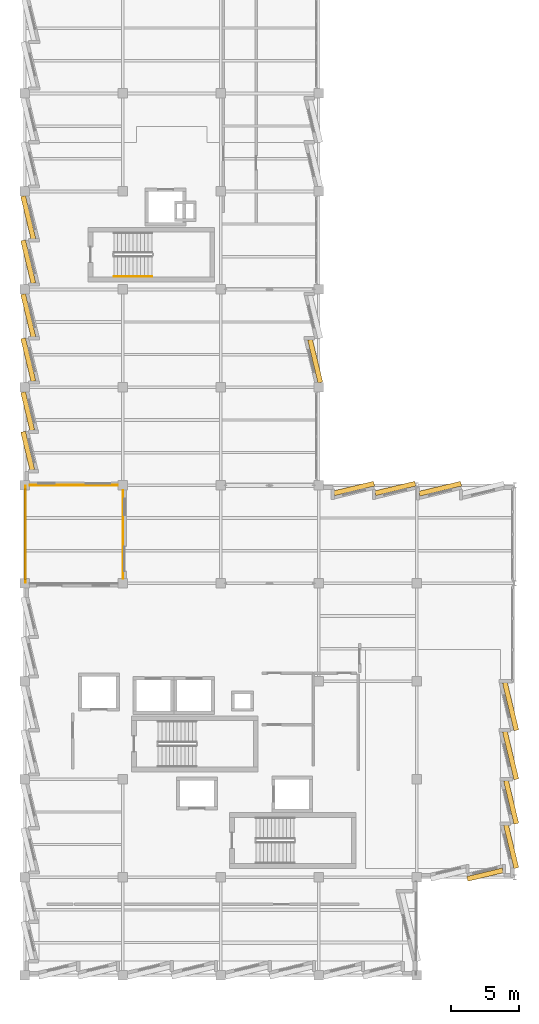
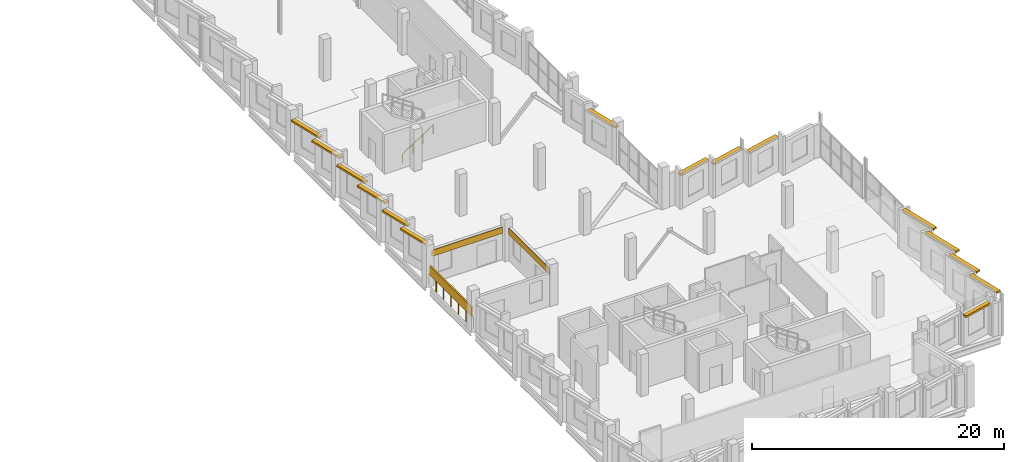
# One storey, part 31 of 33: 16 shading devices, 2 coverings, 2 railings.
"""IFC4 building model written with IfcOpenShell, lengths in metres."""

from ifc_helpers import new_model, si_unit, direction, frame, origin, origin_2d, place, context, subcontext, project, spatial, rectangle, circle, extrude, material, layer, layer_set, type_object, element, save


model = new_model("IFC4")

# Units and contexts
model_context = context("Model", 3, precision=1e-05, world=origin(), true_north=direction((0.0, 1.0)))
body_context = subcontext(model_context, "Body", "Model", "MODEL_VIEW")
ifc_project = project(units=[si_unit("LENGTHUNIT", "METRE"), si_unit("AREAUNIT", "SQUARE_METRE"), si_unit("VOLUMEUNIT", "CUBIC_METRE"), si_unit("PLANEANGLEUNIT", "RADIAN"), si_unit("MASSUNIT", "GRAM", prefix="KILO")], contexts=[model_context])

# Site, building, storey
site_placement = place(None, origin())
site = spatial("IfcSite", under=ifc_project, at=site_placement, CompositionType="ELEMENT")
building_placement = place(site_placement, origin())
building = spatial("IfcBuilding", under=site, at=building_placement, Name="Kalmorath City Hall", CompositionType="ELEMENT")
storey_placement = place(building_placement, frame((0.0, 0.0, 22.949951171875)))
storey = spatial("IfcBuildingStorey", under=building, at=storey_placement, Name="L05", CompositionType="ELEMENT", Elevation=22.949951171875)

# Coverings
ifc_material_1 = material(Name="Hardwood timber cladding", Category="wood")
ifc_layer_1 = layer(ifc_material_1, 0.044921875)
ifc_layer_set_1 = layer_set([ifc_layer_1], Name="Hardwood timber cladding")
covering_type = type_object("IfcCoveringType", Name="Hardwood recessed loggia wall cladding", PredefinedType="CLADDING", material=ifc_layer_set_1)
for number, where, z_axis, x_axis, name in (
    (1, (7.205078125, 32.39990234375, 2.5859375), (0.0, 0.0, 1.0), (0.0, 1.0, 0.0), "L05 timber loggia lining #86"),
    (2, (3.60009765625, 36.0048828125, 2.5859375), (0.0, 0.0, 1.0), (-1.0, 0.0, 0.0), "L05 timber loggia lining #87"),
):
    element("IfcCovering", number, at=place(storey_placement, frame(where, z_axis=z_axis, x_axis=x_axis)), inside=storey, type_object=covering_type, Name=name, PredefinedType="CLADDING", context=body_context, shape_type="SweptSolid", body=[
        extrude(rectangle(XDim=6.498046875, YDim=0.044921875, at=origin_2d()), origin(), (0.0, 0.0, 1.0), 0.60009765625),
    ])

# Shading device
ifc_material_2 = material(Name="Bronze anodised storm louvre")
ifc_layer_2 = layer(ifc_material_2, 0.139892578125)
ifc_layer_set_2 = layer_set([ifc_layer_2], Name="Bronze anodised storm louvre")
shading_device_type_1 = type_object("IfcShadingDeviceType", Name="Hurricane bronze storm louvre bank", PredefinedType="JALOUSIE", material=ifc_layer_set_2)
shading_device_1_placement = place(storey_placement, frame((0.050048828125, 32.39990234375, 1.10009765625), z_axis=(0.0, 0.0, 1.0), x_axis=(0.0, 1.0, 0.0)))
element("IfcShadingDevice", 3, at=shading_device_1_placement, inside=storey, type_object=shading_device_type_1, Name="L05 corner loggia storm louvre #547", PredefinedType="JALOUSIE", context=body_context, shape_type="SweptSolid", body=[
    extrude(rectangle(XDim=6.699951171875, YDim=0.139892578125, at=origin_2d()), origin(), (0.0, 0.0, 1.0), 0.89990234375),
])

# Railing
ifc_material_3 = material(Name="Stainless steel and laminated glass", Category="steel")
railing_type_1 = type_object("IfcRailingType", Name="Outdoor terrace balustrade 1120", PredefinedType="BALUSTRADE", material=ifc_material_3)
railing_1_placement = place(storey_placement, frame((0.050048828125, 28.85009765625, 0.0)))
element("IfcRailing", 4, at=railing_1_placement, inside=storey, type_object=railing_type_1, Name="L05 Northwest Corner Loggia balustrade #13", PredefinedType="BALUSTRADE", context=body_context, shape_type="SweptSolid", body=[
    extrude(circle(Radius=0.02392578125, at=origin_2d()), frame((0.0, 0.0, 1.09619140625), z_axis=(0.0, 1.0, 0.0), x_axis=(-1.0, 0.0, 0.0)), (0.0, 0.0, 1.0), 7.099853515625),
    extrude(circle(Radius=0.02099609375, at=origin_2d()), origin(), (0.0, 0.0, 1.0), 1.072021484375),
    extrude(circle(Radius=0.02099609375, at=origin_2d()), frame((0.0, 1.183349609375, 0.0)), (0.0, 0.0, 1.0), 1.072021484375),
    extrude(circle(Radius=0.02099609375, at=origin_2d()), frame((0.0, 2.36669921875, 0.0)), (0.0, 0.0, 1.0), 1.072021484375),
    extrude(circle(Radius=0.02099609375, at=origin_2d()), frame((0.0, 3.5498046875, 0.0)), (0.0, 0.0, 1.0), 1.072021484375),
    extrude(circle(Radius=0.02099609375, at=origin_2d()), frame((0.0, 4.733154296875, 0.0)), (0.0, 0.0, 1.0), 1.072021484375),
    extrude(circle(Radius=0.02099609375, at=origin_2d()), frame((0.0, 5.91650390625, 0.0)), (0.0, 0.0, 1.0), 1.072021484375),
    extrude(circle(Radius=0.02099609375, at=origin_2d()), frame((0.0, 7.099853515625, 0.0)), (0.0, 0.0, 1.0), 1.072021484375),
])

# Shading devices
ifc_material_4 = material(Name="Precast concrete C40/50", Category="concrete")
ifc_layer_3 = layer(ifc_material_4, 0.179931640625)
ifc_layer_set_3 = layer_set([ifc_layer_3], Name="Precast concrete C40/50")
shading_device_type_2 = type_object("IfcShadingDeviceType", Name="Precast sawtooth brow sunshade 350", PredefinedType="USERDEFINED", material=ifc_layer_set_3)
for number, where, z_axis, x_axis, name in (
    (5, (35.698974609375, 19.75390625, 3.58984375), (0.0, 0.0, 1.0), (0.233445363856, -0.972369920398, 0.0), "L05 precast sawtooth hood #426"),
    (6, (35.698974609375, 16.15380859375, 3.58984375), (0.0, 0.0, 1.0), (0.233445363856, -0.972369920398, 0.0), "L05 precast sawtooth hood #427"),
):
    element("IfcShadingDevice", number, at=place(storey_placement, frame(where, z_axis=z_axis, x_axis=x_axis)), inside=storey, type_object=shading_device_type_2, Name=name, ObjectType="SUNSHADE", PredefinedType="USERDEFINED", context=body_context, shape_type="SweptSolid", body=[
        extrude(rectangle(XDim=3.607421875, YDim=0.360107421875, at=origin_2d()), origin(), (0.0, 0.0, 1.0), 0.179931640625),
    ])
for number, where, z_axis, x_axis, name in (
    (7, (35.73974609375, 12.723876953125, 3.58984375), (0.0, 0.0, 1.0), (0.233462334877, -0.972365845859, 0.0), "L05 precast sawtooth hood #428"),
    (8, (35.73974609375, 9.4638671875, 3.58984375), (0.0, 0.0, 1.0), (0.233462334877, -0.972365845859, 0.0), "L05 precast sawtooth hood #429"),
):
    element("IfcShadingDevice", number, at=place(storey_placement, frame(where, z_axis=z_axis, x_axis=x_axis)), inside=storey, type_object=shading_device_type_2, Name=name, ObjectType="SUNSHADE", PredefinedType="USERDEFINED", context=body_context, shape_type="SweptSolid", body=[
        extrude(rectangle(XDim=3.257568359375, YDim=0.360107421875, at=origin_2d()), origin(), (0.0, 0.0, 1.0), 0.179931640625),
    ])
shading_device_2_placement = place(storey_placement, frame((33.82421875, 7.39208984375, 3.005859375), z_axis=(0.0, 0.0, 1.0), x_axis=(-0.97237399464, -0.233428392764, 0.0)))
element("IfcShadingDevice", 9, at=shading_device_2_placement, inside=storey, type_object=shading_device_type_2, Name="L05 precast sawtooth hood #430", ObjectType="SUNSHADE", PredefinedType="USERDEFINED", context=body_context, shape_type="SweptSolid", body=[
    extrude(rectangle(XDim=2.674560546875, YDim=0.360107421875, at=origin_2d()), origin(), (0.0, 0.0, 1.0), 0.179931640625),
])
for number, where, z_axis, x_axis, name in (
    (10, (0.218017578125, 38.53173828125, 3.005859375), (0.0, 0.0, 1.0), (-0.233445363856, 0.972369920398, 0.0), "L05 precast sawtooth hood #449"),
    (11, (0.218017578125, 41.440673828125, 3.005859375), (0.0, 0.0, 1.0), (-0.233445363856, 0.972369920398, 0.0), "L05 precast sawtooth hood #450"),
):
    element("IfcShadingDevice", number, at=place(storey_placement, frame(where, z_axis=z_axis, x_axis=x_axis)), inside=storey, type_object=shading_device_type_2, Name=name, ObjectType="SUNSHADE", PredefinedType="USERDEFINED", context=body_context, shape_type="SweptSolid", body=[
        extrude(rectangle(XDim=2.896728515625, YDim=0.360107421875, at=origin_2d()), origin(), (0.0, 0.0, 1.0), 0.179931640625),
    ])
for number, where, z_axis, x_axis, name in (
    (12, (0.2587890625, 45.2216796875, 3.005859375), (0.0, 0.0, 1.0), (-0.233445363856, 0.972369920398, 0.0), "L05 precast sawtooth hood #451"),
    (13, (0.2587890625, 48.470703125, 3.005859375), (0.0, 0.0, 1.0), (-0.233445363856, 0.972369920398, 0.0), "L05 precast sawtooth hood #452"),
    (14, (0.2587890625, 52.421630859375, 3.005859375), (0.0, 0.0, 1.0), (-0.233445363856, 0.972369920398, 0.0), "L05 precast sawtooth hood #453"),
    (15, (0.2587890625, 55.670654296875, 3.005859375), (0.0, 0.0, 1.0), (-0.233445363856, 0.972369920398, 0.0), "L05 precast sawtooth hood #454"),
    (16, (21.341064453125, 45.12939453125, 3.005859375), (0.0, 0.0, 1.0), (0.233445363856, -0.972369920398, 0.0), "L05 precast sawtooth hood #468"),
):
    element("IfcShadingDevice", number, at=place(storey_placement, frame(where, z_axis=z_axis, x_axis=x_axis)), inside=storey, type_object=shading_device_type_2, Name=name, ObjectType="SUNSHADE", PredefinedType="USERDEFINED", context=body_context, shape_type="SweptSolid", body=[
        extrude(rectangle(XDim=3.246337890625, YDim=0.360107421875, at=origin_2d()), origin(), (0.0, 0.0, 1.0), 0.179931640625),
    ])
for number, where, z_axis, x_axis, name in (
    (17, (24.193603515625, 35.76708984375, 3.005859375), (0.0, 0.0, 1.0), (0.972365845859, 0.233462334877, 0.0), "L05 precast sawtooth hood #469"),
    (18, (27.226806640625, 35.76708984375, 3.005859375), (0.0, 0.0, 1.0), (0.972365845859, 0.233462334877, 0.0), "L05 precast sawtooth hood #470"),
):
    element("IfcShadingDevice", number, at=place(storey_placement, frame(where, z_axis=z_axis, x_axis=x_axis)), inside=storey, type_object=shading_device_type_2, Name=name, ObjectType="SUNSHADE", PredefinedType="USERDEFINED", context=body_context, shape_type="SweptSolid", body=[
        extrude(rectangle(XDim=3.024169921875, YDim=0.360107421875, at=origin_2d()), origin(), (0.0, 0.0, 1.0), 0.179931640625),
    ])
shading_device_3_placement = place(storey_placement, frame((30.527587890625, 35.752197265625, 2.99609375), z_axis=(0.0, 0.0, 1.0), x_axis=(0.972369920398, 0.233445363856, 0.0)))
element("IfcShadingDevice", 19, at=shading_device_3_placement, inside=storey, type_object=shading_device_type_2, Name="L05 precast sawtooth hood #471", ObjectType="SUNSHADE", PredefinedType="USERDEFINED", context=body_context, shape_type="SweptSolid", body=[
    extrude(rectangle(XDim=3.151611328125, YDim=0.360107421875, at=origin_2d()), origin(), (0.0, 0.0, 1.0), 0.179931640625),
])

# Railing
ifc_material_5 = material(Name="Brushed stainless steel handrail", Category="steel")
railing_type_2 = type_object("IfcRailingType", Name="Stair pitch handrail 900", PredefinedType="HANDRAIL", material=ifc_material_5)
railing_2_placement = place(storey_placement, frame((6.550048828125, 51.35009765625, 0.18408203125)))
element("IfcRailing", 20, at=railing_2_placement, inside=storey, type_object=railing_type_2, Name="L05 ST-3 stair handrail 1", PredefinedType="HANDRAIL", context=body_context, shape_type="SweptSolid", body=[
    extrude(circle(Radius=0.02392578125, at=origin_2d()), frame((0.0, 0.0, 0.8759765625), z_axis=(0.83556406348, 0.0, 0.549393024911), x_axis=(0.0, 1.0, 0.0)), (0.0, 0.0, 1.0), 3.35107421875),
    extrude(circle(Radius=0.02099609375, at=origin_2d()), origin(), (0.0, 0.0, 1.0), 0.851806640625),
    extrude(circle(Radius=0.02099609375, at=origin_2d()), frame((0.933349609375, 0.0, 0.61376953125)), (0.0, 0.0, 1.0), 0.851806640625),
    extrude(circle(Radius=0.02099609375, at=origin_2d()), frame((1.86669921875, 0.0, 1.227294921875)), (0.0, 0.0, 1.0), 0.851806640625),
    extrude(circle(Radius=0.02099609375, at=origin_2d()), frame((2.800048828125, 0.0, 1.841064453125)), (0.0, 0.0, 1.0), 0.851806640625),
])

save(model, "model.ifc")
